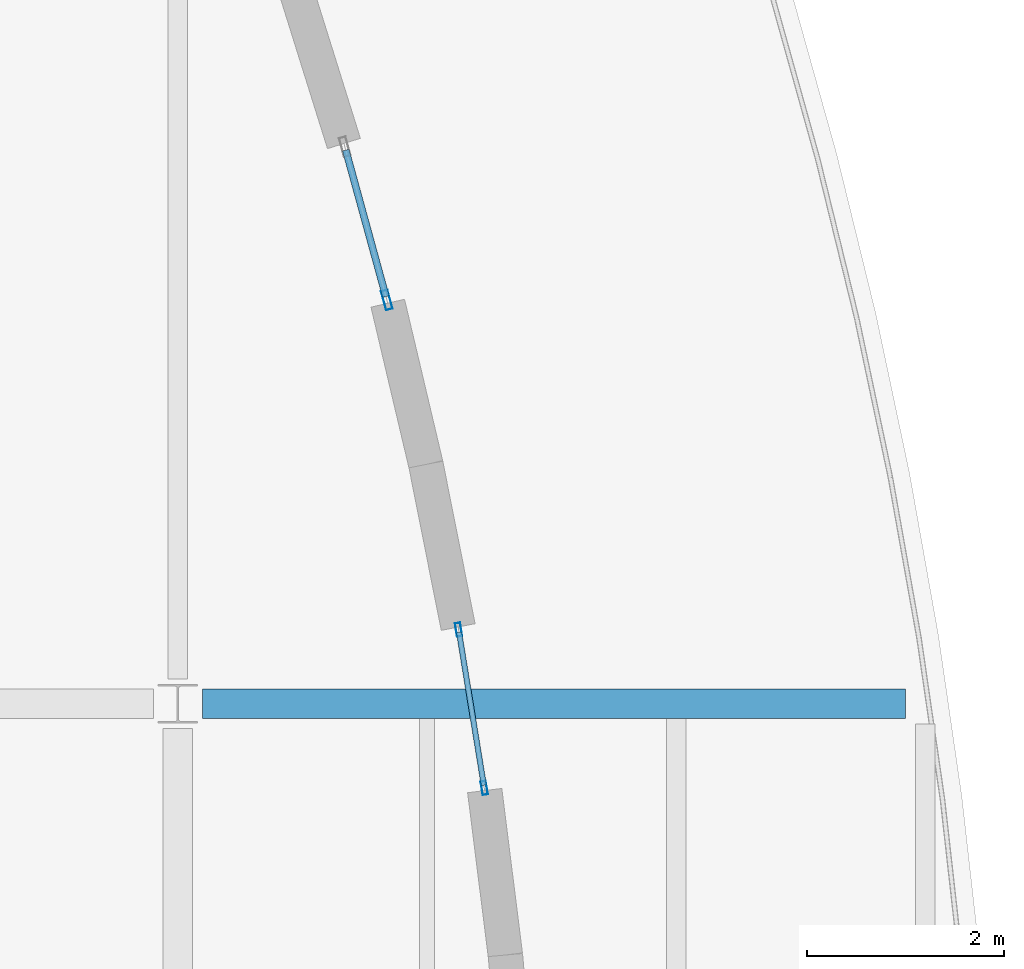
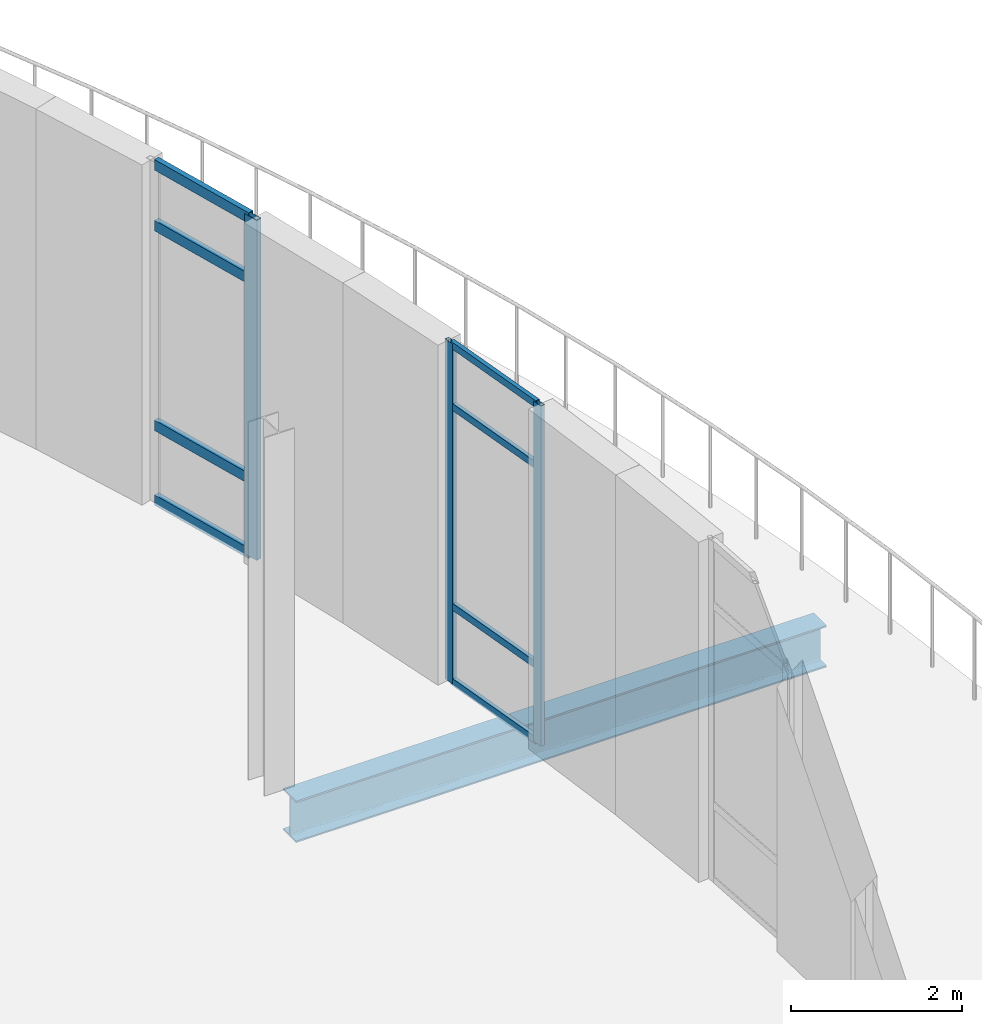
# One storey, part 48 of 103: 11 members, 1 beam, 2 elements without a shape of their own.
"""IFC4 building model written with IfcOpenShell, lengths in metres."""

from ifc_helpers import new_model, si_unit, direction, frame, origin, origin_2d, place, context, subcontext, project, spatial, hollow_rectangle, i_section, extrude, material, layer, layer_set, material_profile, profile_set, type_object, element, aggregate, save


model = new_model("IFC4")

# Units and contexts
model_context = context("Model", 3, precision=1e-05, world=origin(), true_north=direction((0.0, 1.0)))
body_context = subcontext(model_context, "Body", "Model", "MODEL_VIEW")
ifc_project = project(units=[si_unit("LENGTHUNIT", "METRE"), si_unit("AREAUNIT", "SQUARE_METRE"), si_unit("VOLUMEUNIT", "CUBIC_METRE"), si_unit("PLANEANGLEUNIT", "RADIAN"), si_unit("MASSUNIT", "GRAM", prefix="KILO"), si_unit("THERMODYNAMICTEMPERATUREUNIT", "KELVIN")], contexts=[model_context])

# Site, building, storey
site_placement = place(None, origin())
site = spatial("IfcSite", under=ifc_project, at=site_placement, CompositionType="ELEMENT")
building_placement = place(site_placement, origin())
building = spatial("IfcBuilding", under=site, at=building_placement, Name="Lustrewick Department Store", CompositionType="ELEMENT")
storey_placement = place(building_placement, frame((0.0, 0.0, 16.5)))
storey = spatial("IfcBuildingStorey", under=building, at=storey_placement, Name="L04", CompositionType="ELEMENT", Elevation=16.5)

# Curtain wall, members
ifc_material_1 = material(Name="Thermally broken aluminium 6063-T5", Category="aluminium")
ifc_layer_1 = layer(ifc_material_1, 0.199951171875, Name="Thermally broken aluminium 6063-T5")
ifc_layer_set_1 = layer_set([ifc_layer_1], Name="Thermally broken aluminium 6063-T5")
curtain_wall_type_1 = type_object("IfcCurtainWallType", Name="CW01", PredefinedType="NOTDEFINED", material=ifc_layer_set_1)
curtain_wall_1_placement = place(storey_placement, origin())
curtain_wall_1 = element("IfcCurtainWall", 1, at=curtain_wall_1_placement, inside=storey, type_object=curtain_wall_type_1, Name="L04 V4 Curtain Wall CW01", PredefinedType="NOTDEFINED")
ifc_material_profile_1 = material_profile(ifc_material_1, hollow_rectangle(XDim=0.070068359375, YDim=0.199951171875, WallThickness=0.00390625, at=origin_2d()), Name="ALU-M 70x200x4")
ifc_profile_set_1 = profile_set([ifc_material_profile_1], Name="Thermally broken aluminium 6063-T5")
member_type_1 = type_object("IfcMemberType", Name="CW01-M1", PredefinedType="MULLION", material=ifc_profile_set_1)
member_1_placement = place(storey_placement, frame((161.724609375, 71.306640625, 0.0), z_axis=(0.0, 0.0, 1.0), x_axis=(-0.964379303747, -0.264523266472, 0.0)))
member_1 = element("IfcMember", 2, at=member_1_placement, type_object=member_type_1, Name="CW01 mullion 1", PredefinedType="MULLION", context=body_context, shape_type="SweptSolid", body=[
    extrude(hollow_rectangle(XDim=0.070068359375, YDim=0.199951171875, WallThickness=0.00390625, at=origin_2d()), origin(), (0.0, 0.0, 1.0), 4.844970703125),
])
ifc_material_profile_2 = material_profile(ifc_material_1, hollow_rectangle(XDim=0.070068359375, YDim=0.14990234375, WallThickness=0.00390625, at=origin_2d()), Name="ALU-T 70x150x4")
ifc_profile_set_2 = profile_set([ifc_material_profile_2], Name="Thermally broken aluminium 6063-T5")
member_type_2 = type_object("IfcMemberType", Name="CW01-T1", PredefinedType="USERDEFINED", material=ifc_profile_set_2)
member_2_placement = place(storey_placement, frame((161.71533203125, 71.34033203125, 0.034912109375), z_axis=(-0.264521050617, 0.964379911539, 0.0), x_axis=(-0.964379911539, -0.264521050617, 0.0)))
member_2 = element("IfcMember", 3, at=member_2_placement, type_object=member_type_2, Name="CW01 transom 1.1", ObjectType="TRANSOM", PredefinedType="USERDEFINED", context=body_context, shape_type="SweptSolid", body=[
    extrude(hollow_rectangle(XDim=0.070068359375, YDim=0.14990234375, WallThickness=0.00390625, at=origin_2d()), origin(), (0.0, 0.0, 1.0), 1.544921875),
])
member_3_placement = place(storey_placement, frame((161.71533203125, 71.34033203125, 1.10009765625), z_axis=(-0.264521050617, 0.964379911539, 0.0), x_axis=(-0.964379911539, -0.264521050617, 0.0)))
member_3 = element("IfcMember", 4, at=member_3_placement, type_object=member_type_2, Name="CW01 transom 1.2", ObjectType="TRANSOM", PredefinedType="USERDEFINED", context=body_context, shape_type="SweptSolid", body=[
    extrude(hollow_rectangle(XDim=0.070068359375, YDim=0.14990234375, WallThickness=0.00390625, at=origin_2d()), origin(), (0.0, 0.0, 1.0), 1.544921875),
])
member_4_placement = place(storey_placement, frame((161.71533203125, 71.34033203125, 3.945068359375), z_axis=(-0.264521050617, 0.964379911539, 0.0), x_axis=(-0.964379911539, -0.264521050617, 0.0)))
member_4 = element("IfcMember", 5, at=member_4_placement, type_object=member_type_2, Name="CW01 transom 1.3", ObjectType="TRANSOM", PredefinedType="USERDEFINED", context=body_context, shape_type="SweptSolid", body=[
    extrude(hollow_rectangle(XDim=0.070068359375, YDim=0.14990234375, WallThickness=0.00390625, at=origin_2d()), origin(), (0.0, 0.0, 1.0), 1.544921875),
])
member_5_placement = place(storey_placement, frame((161.71533203125, 71.34033203125, 4.81005859375), z_axis=(-0.264521050617, 0.964379911539, 0.0), x_axis=(-0.964379911539, -0.264521050617, 0.0)))
member_5 = element("IfcMember", 6, at=member_5_placement, type_object=member_type_2, Name="CW01 transom 1.4", ObjectType="TRANSOM", PredefinedType="USERDEFINED", context=body_context, shape_type="SweptSolid", body=[
    extrude(hollow_rectangle(XDim=0.070068359375, YDim=0.14990234375, WallThickness=0.00390625, at=origin_2d()), origin(), (0.0, 0.0, 1.0), 1.544921875),
])
aggregate(curtain_wall_1, [member_1, member_2, member_3, member_4, member_5])

ifc_layer_2 = layer(ifc_material_1, 0.139892578125, Name="Thermally broken aluminium 6063-T5")
ifc_layer_set_2 = layer_set([ifc_layer_2], Name="Thermally broken aluminium 6063-T5")
curtain_wall_type_2 = type_object("IfcCurtainWallType", Name="CW15", PredefinedType="NOTDEFINED", material=ifc_layer_set_2)
curtain_wall_2_placement = place(storey_placement, origin())
curtain_wall_2 = element("IfcCurtainWall", 7, at=curtain_wall_2_placement, inside=storey, type_object=curtain_wall_type_2, Name="L04 V4 Curtain Wall CW15", PredefinedType="NOTDEFINED")
ifc_material_profile_3 = material_profile(ifc_material_1, hollow_rectangle(XDim=0.054931640625, YDim=0.139892578125, WallThickness=0.00341796875, at=origin_2d()), Name="ALU-M 55x140x3.5")
ifc_profile_set_3 = profile_set([ifc_material_profile_3], Name="Thermally broken aluminium 6063-T5")
member_type_3 = type_object("IfcMemberType", Name="CW15-M1", PredefinedType="MULLION", material=ifc_profile_set_3)
member_6_placement = place(storey_placement, frame((162.715087890625, 66.344482421875, 0.0), z_axis=(0.0, 0.0, 1.0), x_axis=(-0.987115613913, -0.160008639673, 0.0)))
member_6 = element("IfcMember", 8, at=member_6_placement, type_object=member_type_3, Name="CW15 mullion 1", PredefinedType="MULLION", context=body_context, shape_type="SweptSolid", body=[
    extrude(hollow_rectangle(XDim=0.054931640625, YDim=0.139892578125, WallThickness=0.00341796875, at=origin_2d()), origin(), (0.0, 0.0, 1.0), 4.844970703125),
])
member_7_placement = place(storey_placement, frame((162.454345703125, 67.953369140625, 0.0), z_axis=(0.0, 0.0, 1.0), x_axis=(-0.987115613913, -0.160008639673, 0.0)))
member_7 = element("IfcMember", 9, at=member_7_placement, type_object=member_type_3, Name="CW15 mullion 2", PredefinedType="MULLION", context=body_context, shape_type="SweptSolid", body=[
    extrude(hollow_rectangle(XDim=0.054931640625, YDim=0.139892578125, WallThickness=0.00341796875, at=origin_2d()), origin(), (0.0, 0.0, 1.0), 4.844970703125),
])
ifc_material_profile_4 = material_profile(ifc_material_1, hollow_rectangle(XDim=0.054931640625, YDim=0.10009765625, WallThickness=0.0029296875, at=origin_2d()), Name="ALU-T 55x100x3")
ifc_profile_set_4 = profile_set([ifc_material_profile_4], Name="Thermally broken aluminium 6063-T5")
member_type_4 = type_object("IfcMemberType", Name="CW15-T1", PredefinedType="USERDEFINED", material=ifc_profile_set_4)
member_8_placement = place(storey_placement, frame((162.710693359375, 66.37158203125, 0.027587890625), z_axis=(-0.159973185277, 0.987121360316, 0.0), x_axis=(-0.987121360316, -0.159973185277, 0.0)))
member_8 = element("IfcMember", 10, at=member_8_placement, type_object=member_type_4, Name="CW15 transom 1.1", ObjectType="TRANSOM", PredefinedType="USERDEFINED", context=body_context, shape_type="SweptSolid", body=[
    extrude(hollow_rectangle(XDim=0.054931640625, YDim=0.10009765625, WallThickness=0.0029296875, at=origin_2d()), origin(), (0.0, 0.0, 1.0), 1.574951171875),
])
member_9_placement = place(storey_placement, frame((162.710693359375, 66.37158203125, 1.10009765625), z_axis=(-0.159973185277, 0.987121360316, 0.0), x_axis=(-0.987121360316, -0.159973185277, 0.0)))
member_9 = element("IfcMember", 11, at=member_9_placement, type_object=member_type_4, Name="CW15 transom 1.2", ObjectType="TRANSOM", PredefinedType="USERDEFINED", context=body_context, shape_type="SweptSolid", body=[
    extrude(hollow_rectangle(XDim=0.054931640625, YDim=0.10009765625, WallThickness=0.0029296875, at=origin_2d()), origin(), (0.0, 0.0, 1.0), 1.574951171875),
])
member_10_placement = place(storey_placement, frame((162.710693359375, 66.37158203125, 3.945068359375), z_axis=(-0.159973185277, 0.987121360316, 0.0), x_axis=(-0.987121360316, -0.159973185277, 0.0)))
member_10 = element("IfcMember", 12, at=member_10_placement, type_object=member_type_4, Name="CW15 transom 1.3", ObjectType="TRANSOM", PredefinedType="USERDEFINED", context=body_context, shape_type="SweptSolid", body=[
    extrude(hollow_rectangle(XDim=0.054931640625, YDim=0.10009765625, WallThickness=0.0029296875, at=origin_2d()), origin(), (0.0, 0.0, 1.0), 1.574951171875),
])
member_11_placement = place(storey_placement, frame((162.710693359375, 66.37158203125, 4.8173828125), z_axis=(-0.159973185277, 0.987121360316, 0.0), x_axis=(-0.987121360316, -0.159973185277, 0.0)))
member_11 = element("IfcMember", 13, at=member_11_placement, type_object=member_type_4, Name="CW15 transom 1.4", ObjectType="TRANSOM", PredefinedType="USERDEFINED", context=body_context, shape_type="SweptSolid", body=[
    extrude(hollow_rectangle(XDim=0.054931640625, YDim=0.10009765625, WallThickness=0.0029296875, at=origin_2d()), origin(), (0.0, 0.0, 1.0), 1.574951171875),
])
aggregate(curtain_wall_2, [member_6, member_7, member_8, member_9, member_10, member_11])

# Beam
ifc_material_2 = material(Name="Structural steel Q355B", Category="steel")
ifc_material_profile_5 = material_profile(ifc_material_2, i_section(OverallWidth=0.302001953125, OverallDepth=0.593994140625, WebThickness=0.013916015625, FlangeThickness=0.02294921875, FilletRadius=0.02392578125, at=origin_2d()), Name="HM 594x302x14x23")
ifc_profile_set_5 = profile_set([ifc_material_profile_5], Name="Structural steel Q355B")
beam_type = type_object("IfcBeamType", Name="G10", PredefinedType="BEAM", material=ifc_profile_set_5)
beam_placement = place(storey_placement, frame((159.85009765625, 67.199951171875, -0.552001953125), z_axis=(1.0, 0.0, 0.0), x_axis=(0.0, 1.0, 0.0)))
element("IfcBeam", 14, at=beam_placement, inside=storey, type_object=beam_type, Name="L04 V4 Girder G10", PredefinedType="BEAM", context=body_context, shape_type="SweptSolid", body=[
    extrude(i_section(OverallWidth=0.302001953125, OverallDepth=0.593994140625, WebThickness=0.013916015625, FlangeThickness=0.02294921875, FilletRadius=0.02392578125, at=origin_2d()), origin(), (0.0, 0.0, 1.0), 7.14697265625),
])

save(model, "model.ifc")
